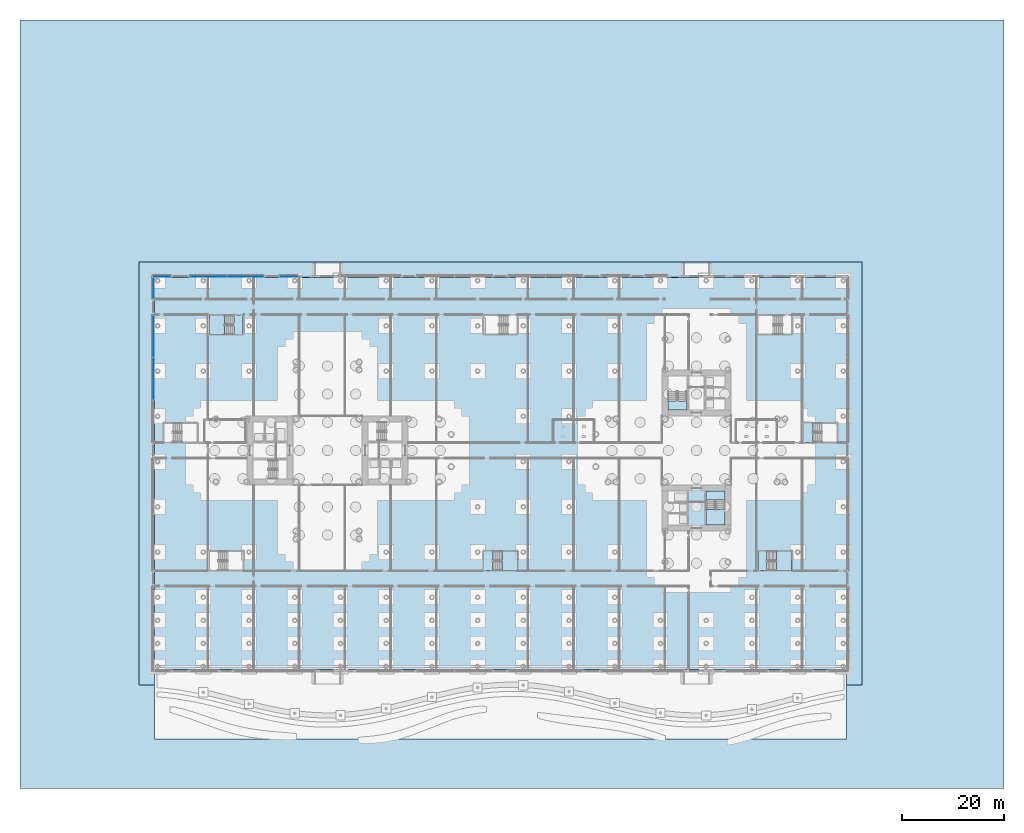
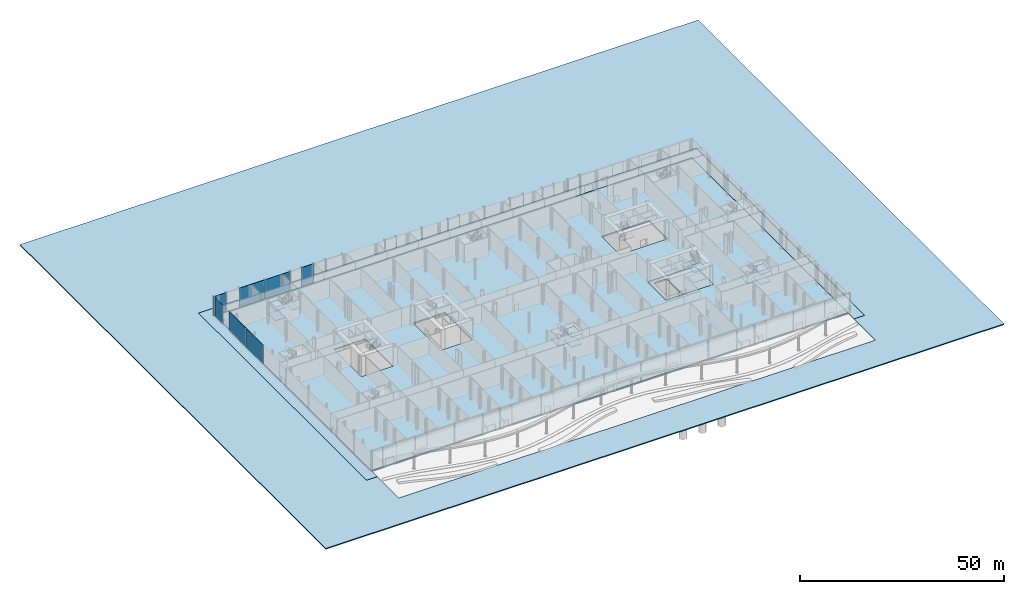
# One storey, part 23 of 75: 18 slabs, 7 plates, 11 elements without a shape of their own.
"""IFC4 building model written with IfcOpenShell, lengths in metres."""

from ifc_helpers import new_model, si_unit, direction, frame, origin, origin_2d, place, context, subcontext, project, spatial, polyline, rectangle, outline, extrude, material, layer, layer_set, type_object, element, aggregate, save


model = new_model("IFC4")

# Units and contexts
model_context = context("Model", 3, precision=1e-05, world=origin(), true_north=direction((0.0, 1.0)))
body_context = subcontext(model_context, "Body", "Model", "MODEL_VIEW")
ifc_project = project(units=[si_unit("LENGTHUNIT", "METRE"), si_unit("AREAUNIT", "SQUARE_METRE"), si_unit("VOLUMEUNIT", "CUBIC_METRE"), si_unit("PLANEANGLEUNIT", "RADIAN"), si_unit("MASSUNIT", "GRAM", prefix="KILO")], contexts=[model_context])

# Site, building, storey
site_placement = place(None, origin())
site = spatial("IfcSite", under=ifc_project, at=site_placement, CompositionType="ELEMENT")
building_placement = place(site_placement, origin())
building = spatial("IfcBuilding", under=site, at=building_placement, Name="Ipe Terrace Towers", CompositionType="ELEMENT")
storey_placement = place(building_placement, origin())
storey = spatial("IfcBuildingStorey", under=building, at=storey_placement, Name="L00", CompositionType="ELEMENT", Elevation=0.0)

# Slab
ifc_material_1 = material(Name="Concrete C30/37", Category="concrete")
ifc_layer_1 = layer(ifc_material_1, 0.39990234375)
ifc_layer_set_1 = layer_set([ifc_layer_1], Name="CORE FLOOR SLAB 400 C30-37")
slab_type_1 = type_object("IfcSlabType", Name="CORE FLOOR SLAB 400 C30-37", PredefinedType="FLOOR", material=ifc_layer_set_1)
slab_1_placement = place(storey_placement, frame((0.0, 0.0, -0.39990234375)))
element("IfcSlab", 1, at=slab_1_placement, inside=storey, type_object=slab_type_1, Name="Core floor T2-C2", PredefinedType="FLOOR", context=body_context, shape_type="SweptSolid", body=[
    extrude(outline(polyline([(29.25, -15.75), (29.25, -6.75), (42.75, -6.75), (42.75, -15.75), (29.25, -15.75)]), holes=[polyline([(34.10009765625, -14.550048828125), (34.10009765625, -7.949951171875), (30.449951171875, -7.949951171875), (30.449951171875, -14.550048828125), (34.10009765625, -14.550048828125)])]), origin(), (0.0, 0.0, 1.0), 0.39990234375),
])

# Stair, slab
ifc_material_2 = material(Name="Concrete C30/37", Category="concrete")
stair_type = type_object("IfcStairType", Name="Protected exit stair", PredefinedType="HALF_TURN_STAIR", material=ifc_material_2)
stair_1_placement = place(storey_placement, origin())
stair_1 = element("IfcStair", 2, at=stair_1_placement, inside=storey, type_object=stair_type, Name="L00 Exit stair T2-C1", PredefinedType="HALF_TURN_STAIR")
ifc_material_3 = material(Name="Concrete C30/37", Category="concrete")
ifc_layer_2 = layer(ifc_material_3, 0.199951171875)
ifc_layer_set_2 = layer_set([ifc_layer_2], Name="Exit stair landing 200")
slab_type_2 = type_object("IfcSlabType", Name="Exit stair landing 200", PredefinedType="LANDING", material=ifc_layer_set_2)
slab_2_placement = place(storey_placement, frame((0.0, 0.0, 2.800048828125)))
slab_2 = element("IfcSlab", 3, at=slab_2_placement, type_object=slab_type_2, Name="T2-ST1 landing 2", PredefinedType="LANDING", context=body_context, shape_type="SweptSolid", body=[
    extrude(outline(polyline([(34.10009765625, 7.949951171875), (34.10009765625, 9.699951171875), (30.449951171875, 9.699951171875), (30.449951171875, 7.949951171875), (34.10009765625, 7.949951171875)])), origin(), (0.0, 0.0, 1.0), 0.199951171875),
])
aggregate(stair_1, [slab_2])

# Stair, slabs
stair_2_placement = place(storey_placement, origin())
stair_2 = element("IfcStair", 4, at=stair_2_placement, inside=storey, type_object=stair_type, Name="L00 Exit stair T2-C2", PredefinedType="HALF_TURN_STAIR")
slab_3_placement = place(storey_placement, frame((0.0, 0.0, 1.300048828125)))
slab_3 = element("IfcSlab", 5, at=slab_3_placement, type_object=slab_type_2, Name="T2-ST2 landing 1", PredefinedType="LANDING", context=body_context, shape_type="SweptSolid", body=[
    extrude(outline(polyline([(37.89990234375, -11.52001953125), (37.89990234375, -14.550048828125), (41.550048828125, -14.550048828125), (41.550048828125, -11.52001953125), (37.89990234375, -11.52001953125)])), origin(), (0.0, 0.0, 1.0), 0.199951171875),
])
slab_4_placement = place(storey_placement, frame((0.0, 0.0, 2.800048828125)))
slab_4 = element("IfcSlab", 6, at=slab_4_placement, type_object=slab_type_2, Name="T2-ST2 landing 2", PredefinedType="LANDING", context=body_context, shape_type="SweptSolid", body=[
    extrude(outline(polyline([(37.89990234375, -7.949951171875), (37.89990234375, -9.699951171875), (41.550048828125, -9.699951171875), (41.550048828125, -7.949951171875), (37.89990234375, -7.949951171875)])), origin(), (0.0, 0.0, 1.0), 0.199951171875),
])
slab_5_placement = place(storey_placement, frame((0.0, 0.0, 4.300048828125)))
slab_5 = element("IfcSlab", 7, at=slab_5_placement, type_object=slab_type_2, Name="T2-ST2 landing 3", PredefinedType="LANDING", context=body_context, shape_type="SweptSolid", body=[
    extrude(outline(polyline([(37.89990234375, -11.52001953125), (37.89990234375, -14.550048828125), (41.550048828125, -14.550048828125), (41.550048828125, -11.52001953125), (37.89990234375, -11.52001953125)])), origin(), (0.0, 0.0, 1.0), 0.199951171875),
])
aggregate(stair_2, [slab_3, slab_4, slab_5])

stair_3_placement = place(storey_placement, origin())
stair_3 = element("IfcStair", 8, at=stair_3_placement, inside=storey, type_object=stair_type, Name="L00 Podium exit stair PS1", PredefinedType="HALF_TURN_STAIR")
slab_6_placement = place(storey_placement, frame((0.0, 0.0, 1.300048828125)))
slab_6 = element("IfcSlab", 9, at=slab_6_placement, type_object=slab_type_2, Name="PS1 landing 1", PredefinedType="LANDING", context=body_context, shape_type="SweptSolid", body=[
    extrude(outline(polyline([(-56.090087890625, 26.39990234375), (-59.070068359375, 26.39990234375), (-59.070068359375, 22.64990234375), (-56.090087890625, 22.64990234375), (-56.090087890625, 26.39990234375)])), origin(), (0.0, 0.0, 1.0), 0.199951171875),
])
slab_7_placement = place(storey_placement, frame((0.0, 0.0, 2.800048828125)))
slab_7 = element("IfcSlab", 10, at=slab_7_placement, type_object=slab_type_2, Name="PS1 landing 2", PredefinedType="LANDING", context=body_context, shape_type="SweptSolid", body=[
    extrude(outline(polyline([(-52.469970703125, 26.39990234375), (-54.27001953125, 26.39990234375), (-54.27001953125, 22.64990234375), (-52.469970703125, 22.64990234375), (-52.469970703125, 26.39990234375)])), origin(), (0.0, 0.0, 1.0), 0.199951171875),
])
slab_8_placement = place(storey_placement, frame((0.0, 0.0, 4.300048828125)))
slab_8 = element("IfcSlab", 11, at=slab_8_placement, type_object=slab_type_2, Name="PS1 landing 3", PredefinedType="LANDING", context=body_context, shape_type="SweptSolid", body=[
    extrude(outline(polyline([(-56.090087890625, 26.39990234375), (-59.070068359375, 26.39990234375), (-59.070068359375, 22.64990234375), (-56.090087890625, 22.64990234375), (-56.090087890625, 26.39990234375)])), origin(), (0.0, 0.0, 1.0), 0.199951171875),
])
aggregate(stair_3, [slab_6, slab_7, slab_8])

stair_4_placement = place(storey_placement, origin())
stair_4 = element("IfcStair", 12, at=stair_4_placement, inside=storey, type_object=stair_type, Name="L00 Podium exit stair PS5", PredefinedType="HALF_TURN_STAIR")
slab_9_placement = place(storey_placement, frame((0.0, 0.0, 1.300048828125)))
slab_9 = element("IfcSlab", 13, at=slab_9_placement, type_object=slab_type_2, Name="PS5 landing 1", PredefinedType="LANDING", context=body_context, shape_type="SweptSolid", body=[
    extrude(outline(polyline([(-1.929931640625, -23.39990234375), (1.050048828125, -23.39990234375), (1.050048828125, -19.64990234375), (-1.929931640625, -19.64990234375), (-1.929931640625, -23.39990234375)])), origin(), (0.0, 0.0, 1.0), 0.199951171875),
])
slab_10_placement = place(storey_placement, frame((0.0, 0.0, 2.800048828125)))
slab_10 = element("IfcSlab", 14, at=slab_10_placement, type_object=slab_type_2, Name="PS5 landing 2", PredefinedType="LANDING", context=body_context, shape_type="SweptSolid", body=[
    extrude(outline(polyline([(-5.550048828125, -23.39990234375), (-3.75, -23.39990234375), (-3.75, -19.64990234375), (-5.550048828125, -19.64990234375), (-5.550048828125, -23.39990234375)])), origin(), (0.0, 0.0, 1.0), 0.199951171875),
])
slab_11_placement = place(storey_placement, frame((0.0, 0.0, 4.300048828125)))
slab_11 = element("IfcSlab", 15, at=slab_11_placement, type_object=slab_type_2, Name="PS5 landing 3", PredefinedType="LANDING", context=body_context, shape_type="SweptSolid", body=[
    extrude(outline(polyline([(-1.929931640625, -23.39990234375), (1.050048828125, -23.39990234375), (1.050048828125, -19.64990234375), (-1.929931640625, -19.64990234375), (-1.929931640625, -23.39990234375)])), origin(), (0.0, 0.0, 1.0), 0.199951171875),
])
aggregate(stair_4, [slab_9, slab_10, slab_11])

stair_5_placement = place(storey_placement, origin())
stair_5 = element("IfcStair", 16, at=stair_5_placement, inside=storey, type_object=stair_type, Name="L00 Podium exit stair PS6", PredefinedType="HALF_TURN_STAIR")
slab_12_placement = place(storey_placement, frame((0.0, 0.0, 1.300048828125)))
slab_12 = element("IfcSlab", 17, at=slab_12_placement, type_object=slab_type_2, Name="PS6 landing 1", PredefinedType="LANDING", context=body_context, shape_type="SweptSolid", body=[
    extrude(outline(polyline([(51.590087890625, -23.39990234375), (54.570068359375, -23.39990234375), (54.570068359375, -19.64990234375), (51.590087890625, -19.64990234375), (51.590087890625, -23.39990234375)])), origin(), (0.0, 0.0, 1.0), 0.199951171875),
])
slab_13_placement = place(storey_placement, frame((0.0, 0.0, 2.800048828125)))
slab_13 = element("IfcSlab", 18, at=slab_13_placement, type_object=slab_type_2, Name="PS6 landing 2", PredefinedType="LANDING", context=body_context, shape_type="SweptSolid", body=[
    extrude(outline(polyline([(47.969970703125, -23.39990234375), (49.77001953125, -23.39990234375), (49.77001953125, -19.64990234375), (47.969970703125, -19.64990234375), (47.969970703125, -23.39990234375)])), origin(), (0.0, 0.0, 1.0), 0.199951171875),
])
slab_14_placement = place(storey_placement, frame((0.0, 0.0, 4.300048828125)))
slab_14 = element("IfcSlab", 19, at=slab_14_placement, type_object=slab_type_2, Name="PS6 landing 3", PredefinedType="LANDING", context=body_context, shape_type="SweptSolid", body=[
    extrude(outline(polyline([(51.590087890625, -23.39990234375), (54.570068359375, -23.39990234375), (54.570068359375, -19.64990234375), (51.590087890625, -19.64990234375), (51.590087890625, -23.39990234375)])), origin(), (0.0, 0.0, 1.0), 0.199951171875),
])
aggregate(stair_5, [slab_12, slab_13, slab_14])

# Stair, slab
stair_6_placement = place(storey_placement, origin())
stair_6 = element("IfcStair", 20, at=stair_6_placement, inside=storey, type_object=stair_type, Name="L00 Podium exit stair PS8", PredefinedType="HALF_TURN_STAIR")
slab_15_placement = place(storey_placement, frame((0.0, 0.0, 2.800048828125)))
slab_15 = element("IfcSlab", 21, at=slab_15_placement, type_object=slab_type_2, Name="PS8 landing 2", PredefinedType="LANDING", context=body_context, shape_type="SweptSolid", body=[
    extrude(outline(polyline([(56.889892578125, 1.60009765625), (58.68994140625, 1.60009765625), (58.68994140625, 5.35009765625), (56.889892578125, 5.35009765625), (56.889892578125, 1.60009765625)])), origin(), (0.0, 0.0, 1.0), 0.199951171875),
])
aggregate(stair_6, [slab_15])

# Slab
ifc_material_4 = material(Name="Concrete C40/50", Category="concrete")
ifc_layer_3 = layer(ifc_material_4, 0.39990234375)
ifc_layer_set_3 = layer_set([ifc_layer_3], Name="GROUND GROUND SLAB 400 C40-50")
slab_type_3 = type_object("IfcSlabType", Name="GROUND GROUND SLAB 400 C40-50", PredefinedType="BASESLAB", material=ifc_layer_set_3)
slab_16_placement = place(storey_placement, frame((0.0, 0.0, -0.39990234375)))
element("IfcSlab", 22, at=slab_16_placement, inside=storey, type_object=slab_type_3, Name="Slab PD-FS-L00", PredefinedType="BASESLAB", context=body_context, shape_type="SweptSolid", body=[
    extrude(outline(polyline([(65.25, -42.75), (-69.75, -42.75), (-69.75, 33.75), (65.25, 33.75), (65.25, -42.75)]), holes=[polyline([(-29.25, -6.75), (-20.25, -6.75), (-20.25, 6.75), (-29.25, 6.75), (-29.25, -6.75)]), polyline([(-51.75, 6.75), (-51.75, -6.75), (-42.75, -6.75), (-42.75, 6.75), (-51.75, 6.75)]), polyline([(42.75, 15.75), (29.25, 15.75), (29.25, 6.75), (42.75, 6.75), (42.75, 15.75)]), polyline([(42.75, -15.75), (42.75, -6.75), (29.25, -6.75), (29.25, -15.75), (42.75, -15.75)])]), origin(), (0.0, 0.0, 1.0), 0.39990234375),
])

# Curtain wall, plate
ifc_material_5 = material(Name="Aluminium alloy 6063-T6", Category="aluminium")
ifc_layer_4 = layer(ifc_material_5, 0.43994140625)
ifc_layer_set_4 = layer_set([ifc_layer_4], Name="PODIUM GLAZING CURTAIN WALL")
curtain_wall_type = type_object("IfcCurtainWallType", Name="PODIUM GLAZING CURTAIN WALL", PredefinedType="NOTDEFINED", material=ifc_layer_set_4)
curtain_wall_1_placement = place(storey_placement, origin())
curtain_wall_1 = element("IfcCurtainWall", 23, at=curtain_wall_1_placement, inside=storey, type_object=curtain_wall_type, Name="POD-CW-L00-01w curtain wall", PredefinedType="NOTDEFINED")
ifc_material_6 = material(Name="Glass, clear laminated", Category="glass")
ifc_layer_5 = layer(ifc_material_6, 0.035888671875)
ifc_layer_set_5 = layer_set([ifc_layer_5], Name="PODIUM GLAZING GLASS PANEL 36")
plate_type = type_object("IfcPlateType", Name="PODIUM GLAZING GLASS PANEL 36", PredefinedType="CURTAIN_PANEL", material=ifc_layer_set_5)
plate_1_placement = place(storey_placement, frame((-43.550048828125, 33.89990234375, 0.0), z_axis=(0.0, 0.0, 1.0), x_axis=(-1.0, 0.0, 0.0)))
plate_1 = element("IfcPlate", 24, at=plate_1_placement, type_object=plate_type, Name="POD-CW-L00-01w panel 1", PredefinedType="CURTAIN_PANEL", context=body_context, shape_type="SweptSolid", body=[
    extrude(rectangle(XDim=3.43994140625, YDim=0.035888671875, at=origin_2d()), origin(), (0.0, 0.0, 1.0), 5.699951171875),
])
aggregate(curtain_wall_1, [plate_1])

# Curtain wall, plates
curtain_wall_2_placement = place(storey_placement, origin())
curtain_wall_2 = element("IfcCurtainWall", 25, at=curtain_wall_2_placement, inside=storey, type_object=curtain_wall_type, Name="POD-CW-L00-01y curtain wall", PredefinedType="NOTDEFINED")
plate_2_placement = place(storey_placement, frame((-52.0048828125, 33.89990234375, 0.0), z_axis=(0.0, 0.0, 1.0), x_axis=(-1.0, 0.0, 0.0)))
plate_2 = element("IfcPlate", 26, at=plate_2_placement, type_object=plate_type, Name="POD-CW-L00-01y panel 1", PredefinedType="CURTAIN_PANEL", context=body_context, shape_type="SweptSolid", body=[
    extrude(rectangle(XDim=7.14990234375, YDim=0.035888671875, at=origin_2d()), origin(), (0.0, 0.0, 1.0), 5.699951171875),
])
plate_3_placement = place(storey_placement, frame((-59.235107421875, 33.89990234375, 0.0), z_axis=(0.0, 0.0, 1.0), x_axis=(-1.0, 0.0, 0.0)))
plate_3 = element("IfcPlate", 27, at=plate_3_placement, type_object=plate_type, Name="POD-CW-L00-01y panel 2", PredefinedType="CURTAIN_PANEL", context=body_context, shape_type="SweptSolid", body=[
    extrude(rectangle(XDim=7.14990234375, YDim=0.035888671875, at=origin_2d()), origin(), (0.0, 0.0, 1.0), 5.699951171875),
])
aggregate(curtain_wall_2, [plate_2, plate_3])

# Curtain wall, plate
curtain_wall_3_placement = place(storey_placement, origin())
curtain_wall_3 = element("IfcCurtainWall", 28, at=curtain_wall_3_placement, inside=storey, type_object=curtain_wall_type, Name="POD-CW-L00-01{ curtain wall", PredefinedType="NOTDEFINED")
plate_4_placement = place(storey_placement, frame((-68.340087890625, 33.89990234375, 0.0), z_axis=(0.0, 0.0, 1.0), x_axis=(-1.0, 0.0, 0.0)))
plate_4 = element("IfcPlate", 29, at=plate_4_placement, type_object=plate_type, Name="POD-CW-L00-01{ panel 1", PredefinedType="CURTAIN_PANEL", context=body_context, shape_type="SweptSolid", body=[
    extrude(rectangle(XDim=3.5400390625, YDim=0.035888671875, at=origin_2d()), origin(), (0.0, 0.0, 1.0), 5.699951171875),
])
aggregate(curtain_wall_3, [plate_4])

curtain_wall_4_placement = place(storey_placement, origin())
curtain_wall_4 = element("IfcCurtainWall", 30, at=curtain_wall_4_placement, inside=storey, type_object=curtain_wall_type, Name="POD-CW-L00-02a curtain wall", PredefinedType="NOTDEFINED")
plate_5_placement = place(storey_placement, frame((-69.89990234375, 31.625, 0.0), z_axis=(0.0, 0.0, 1.0), x_axis=(0.0, -1.0, 0.0)))
plate_5 = element("IfcPlate", 31, at=plate_5_placement, type_object=plate_type, Name="POD-CW-L00-02a panel 1", PredefinedType="CURTAIN_PANEL", context=body_context, shape_type="SweptSolid", body=[
    extrude(rectangle(XDim=4.090087890625, YDim=0.035888671875, at=origin_2d()), origin(), (0.0, 0.0, 1.0), 5.699951171875),
])
aggregate(curtain_wall_4, [plate_5])

# Curtain wall, plates
curtain_wall_5_placement = place(storey_placement, origin())
curtain_wall_5 = element("IfcCurtainWall", 32, at=curtain_wall_5_placement, inside=storey, type_object=curtain_wall_type, Name="POD-CW-L00-02c curtain wall", PredefinedType="NOTDEFINED")
plate_6_placement = place(storey_placement, frame((-69.89990234375, 22.306640625, 0.0), z_axis=(0.0, 0.0, 1.0), x_axis=(0.0, -1.0, 0.0)))
plate_6 = element("IfcPlate", 33, at=plate_6_placement, type_object=plate_type, Name="POD-CW-L00-02c panel 1", PredefinedType="CURTAIN_PANEL", context=body_context, shape_type="SweptSolid", body=[
    extrude(rectangle(XDim=8.2265625, YDim=0.035888671875, at=origin_2d()), origin(), (0.0, 0.0, 1.0), 5.699951171875),
])
plate_7_placement = place(storey_placement, frame((-69.89990234375, 14.0, 0.0), z_axis=(0.0, 0.0, 1.0), x_axis=(0.0, -1.0, 0.0)))
plate_7 = element("IfcPlate", 34, at=plate_7_placement, type_object=plate_type, Name="POD-CW-L00-02c panel 2", PredefinedType="CURTAIN_PANEL", context=body_context, shape_type="SweptSolid", body=[
    extrude(rectangle(XDim=8.2265625, YDim=0.035888671875, at=origin_2d()), origin(), (0.0, 0.0, 1.0), 5.699951171875),
])
aggregate(curtain_wall_5, [plate_6, plate_7])

# Slabs
ifc_material_7 = material(Name="Concrete C30/37 paving", Category="concrete")
ifc_layer_6 = layer(ifc_material_7, 0.300048828125)
ifc_layer_set_6 = layer_set([ifc_layer_6], Name="PROMENADE PAVING 300")
slab_type_4 = type_object("IfcSlabType", Name="PROMENADE PAVING 300", PredefinedType="USERDEFINED", material=ifc_layer_set_6)
slab_17_placement = place(storey_placement, frame((0.0, 0.0, -0.300048828125)))
element("IfcSlab", 35, at=slab_17_placement, inside=storey, type_object=slab_type_4, Name="entrance paving", ObjectType="PAVING", PredefinedType="USERDEFINED", context=body_context, shape_type="SweptSolid", body=[
    extrude(outline(polyline([(-72.75, 36.75), (68.25, 36.75), (68.25, -45.75), (65.2509765625, -45.75), (65.2509765625, -42.75), (65.2509765625, -42.75), (65.2509765625, -42.75), (65.2509765625, -42.75), (65.2509765625, -42.75), (65.2509765625, -42.75), (65.2509765625, -42.7490234375), (65.2509765625, -42.7490234375), (65.2509765625, -42.7490234375), (65.2509765625, -42.7490234375), (65.2509765625, -42.7490234375), (65.25, -42.7490234375), (65.25, -42.7490234375), (65.25, -42.7490234375), (65.25, -42.7490234375), (65.25, -42.7490234375), (65.25, -42.7490234375), (65.25, 33.75), (-69.75, 33.75), (-69.75, -42.7490234375), (-69.75, -42.7490234375), (-69.75, -42.7490234375), (-69.75, -42.7490234375), (-69.75, -42.7490234375), (-69.75, -42.7490234375), (-69.7509765625, -42.7490234375), (-69.7509765625, -42.7490234375), (-69.7509765625, -42.7490234375), (-69.7509765625, -42.7490234375), (-69.7509765625, -42.7490234375), (-69.7509765625, -42.75), (-69.7509765625, -42.75), (-69.7509765625, -42.75), (-69.7509765625, -42.75), (-69.7509765625, -42.75), (-69.7509765625, -42.75), (-69.7509765625, -45.75), (-72.75, -45.75), (-72.75, 36.75)])), origin(), (0.0, 0.0, 1.0), 0.300048828125),
])
ifc_material_8 = material(Name="Concrete C30/37 paving", Category="concrete")
ifc_layer_7 = layer(ifc_material_8, 0.300048828125)
ifc_layer_set_7 = layer_set([ifc_layer_7], Name="SITE PAVING 300")
slab_type_5 = type_object("IfcSlabType", Name="SITE PAVING 300", PredefinedType="USERDEFINED", material=ifc_layer_set_7)
slab_18_placement = place(storey_placement, frame((0.0, 0.0, -0.300048828125)))
element("IfcSlab", 36, at=slab_18_placement, inside=storey, type_object=slab_type_5, Name="site paving", ObjectType="PAVING", PredefinedType="USERDEFINED", context=body_context, shape_type="SweptSolid", body=[
    extrude(outline(polyline([(-96.0, 84.0), (96.0, 84.0), (96.0, -66.0), (-96.0, -66.0), (-96.0, 84.0)]), holes=[polyline([(-72.75, 36.75), (-72.75, -45.75), (-69.75, -45.75), (-69.75, -56.25), (65.25, -56.25), (65.25, -45.75), (68.25, -45.75), (68.25, 36.75), (-72.75, 36.75)])]), origin(), (0.0, 0.0, 1.0), 0.300048828125),
])

save(model, "model.ifc")
